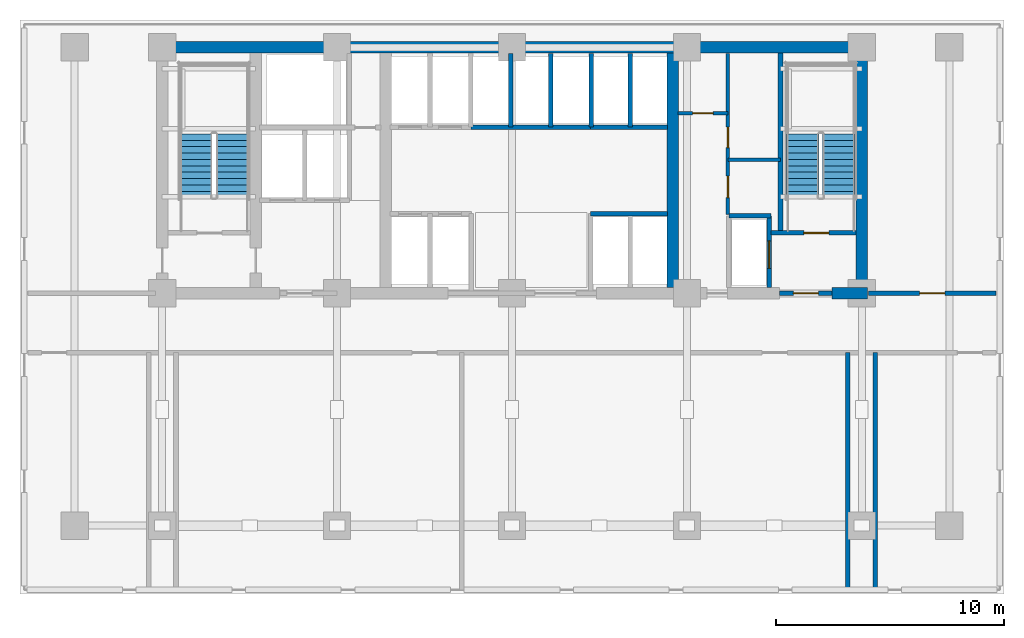
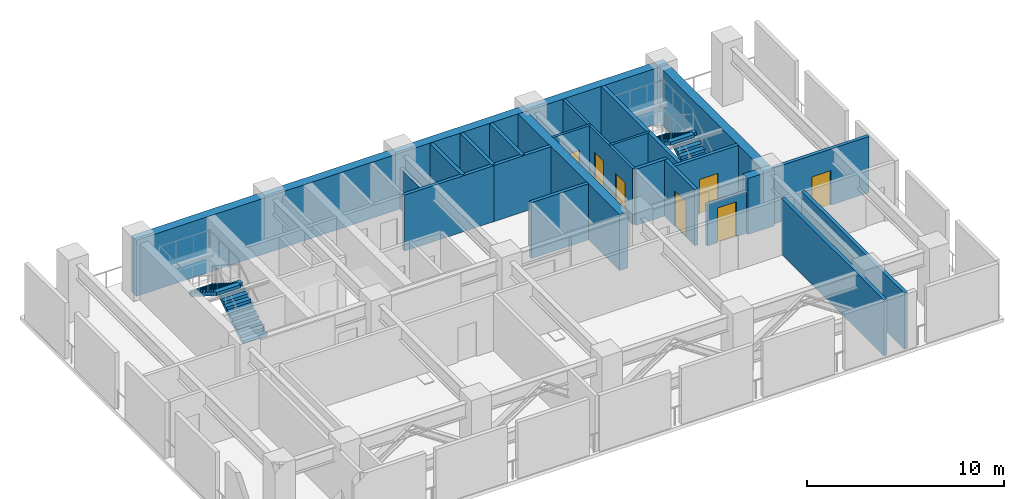
# One storey, part 3 of 7: 22 walls, 7 doors, 4 stair flights, 7 openings, 2 elements without a shape of their own.
"""IFC4 building model written with IfcOpenShell, lengths in metres."""

from ifc_helpers import new_model, si_unit, direction, frame, frame_2d, origin, place, context, subcontext, project, spatial, polyline, rectangle, outline, extrude, material, layer, layer_set, type_object, element, fill, aggregate, save


model = new_model("IFC4")

# Units and contexts
model_context = context("Model", 3, precision=1e-05, world=origin(), true_north=direction((0.0, 1.0)))
body_context = subcontext(model_context, "Body", "Model", "MODEL_VIEW")
ifc_project = project(units=[si_unit("LENGTHUNIT", "METRE"), si_unit("AREAUNIT", "SQUARE_METRE"), si_unit("VOLUMEUNIT", "CUBIC_METRE"), si_unit("PLANEANGLEUNIT", "RADIAN"), si_unit("MASSUNIT", "GRAM", prefix="KILO")], contexts=[model_context])

# Site, building, storey
site_placement = place(None, origin())
site = spatial("IfcSite", under=ifc_project, at=site_placement, CompositionType="ELEMENT")
building_placement = place(site_placement, origin())
building = spatial("IfcBuilding", under=site, at=building_placement, Name="Yelkora Congress Tower", CompositionType="ELEMENT")
storey_placement = place(building_placement, frame((0.0, 0.0, 81.89990234375)))
storey = spatial("IfcBuildingStorey", under=building, at=storey_placement, Name="L21", CompositionType="ELEMENT", Elevation=81.89990234375)

# Walls
ifc_material_1 = material(Name="Concrete C50/60", Category="concrete")
ifc_layer_1 = layer(ifc_material_1, 0.219970703125)
ifc_layer_set_1 = layer_set([ifc_layer_1], Name="Concrete C50/60")
wall_type_1 = type_object("IfcWallType", Name="WALL-CORE-INT-220", PredefinedType="SHEAR", material=ifc_layer_set_1)
wall_1_placement = place(storey_placement, frame((50.179931640625, 38.050048828125, 0.0), z_axis=(0.0, 0.0, 1.0), x_axis=(0.0, 1.0, 0.0)))
element("IfcWall", 1, at=wall_1_placement, inside=storey, type_object=wall_type_1, Name="L21 ST02 West Stair Shear Wall", PredefinedType="SHEAR", context=body_context, shape_type="SweptSolid", body=[
    extrude(rectangle(XDim=7.89990234375, YDim=0.219970703125, at=frame_2d((3.949951171875, 0.0))), origin(), (0.0, 0.0, 1.0), 3.47998046875),
])
ifc_material_2 = material(Name="Concrete C60/75", Category="concrete")
ifc_layer_2 = layer(ifc_material_2, 0.5)
ifc_layer_set_2 = layer_set([ifc_layer_2], Name="Concrete C60/75")
wall_type_2 = type_object("IfcWallType", Name="WALL-CORE-INT-500", PredefinedType="SHEAR", material=ifc_layer_set_2)
wall_2_placement = place(storey_placement, frame((22.7900390625, 46.199951171875, 0.0), z_axis=(0.0, 0.0, 1.0), x_axis=(1.0, 0.0, 0.0)))
element("IfcWall", 2, at=wall_2_placement, inside=storey, type_object=wall_type_2, Name="L21 Rear Core North Shear Wall", PredefinedType="SHEAR", context=body_context, shape_type="SweptSolid", body=[
    extrude(rectangle(XDim=31.219970703125, YDim=0.5, at=frame_2d((15.60986328125, 0.0))), origin(), (0.0, 0.0, 1.0), 3.47998046875),
])
wall_3_placement = place(storey_placement, frame((52.449951171875, 35.39990234375, 0.0), z_axis=(0.0, 0.0, 1.0), x_axis=(1.0, 0.0, 0.0)))
element("IfcWall", 3, at=wall_3_placement, inside=storey, type_object=wall_type_2, Name="L21 Rear Core South-East Shear Wall B", PredefinedType="SHEAR", context=body_context, shape_type="SweptSolid", body=[
    extrude(rectangle(XDim=1.56005859375, YDim=0.5, at=frame_2d((0.780029296875, 0.0))), origin(), (0.0, 0.0, 1.0), 3.47998046875),
])
for number, where, z_axis, x_axis, name in (
    (4, (45.449951171875, 35.64990234375, 0.0), (0.0, 0.0, 1.0), (0.0, 1.0, 0.0), "L21 Rear Core Cross Shear Wall C3"),
    (5, (53.760009765625, 35.64990234375, 0.0), (0.0, 0.0, 1.0), (0.0, 1.0, 0.0), "L21 Rear Core Cross Shear Wall E"),
):
    element("IfcWall", number, at=place(storey_placement, frame(where, z_axis=z_axis, x_axis=x_axis)), inside=storey, type_object=wall_type_2, Name=name, PredefinedType="SHEAR", context=body_context, shape_type="SweptSolid", body=[
        extrude(rectangle(XDim=10.300048828125, YDim=0.5, at=frame_2d((5.14990234375, 0.0))), origin(), (0.0, 0.0, 1.0), 3.47998046875),
    ])

# Wall, opening, door
ifc_material_3 = material(Name="Acoustic metal-stud gypsum partition", Category="gypsum")
ifc_layer_3 = layer(ifc_material_3, 0.14990234375)
ifc_layer_set_3 = layer_set([ifc_layer_3], Name="Acoustic metal-stud gypsum partition")
wall_type_3 = type_object("IfcWallType", Name="WALL-INT-150-NR", PredefinedType="PARTITIONING", material=ifc_layer_set_3)
wall_4_placement = place(storey_placement, frame((45.679931640625, 43.31005859375, 0.0), z_axis=(0.0, 0.0, 1.0), x_axis=(1.0, 0.0, 0.0)))
wall_4 = element("IfcWall", 6, at=wall_4_placement, inside=storey, type_object=wall_type_3, Name="L21 Partition Wall 28", PredefinedType="PARTITIONING", context=body_context, shape_type="SweptSolid", body=[
    extrude(rectangle(XDim=2.199951171875, YDim=0.14990234375, at=frame_2d((1.10009765625, 0.0))), origin(), (0.0, 0.0, 1.0), 3.47998046875),
])
opening_1_placement = place(wall_4_placement, frame((0.64990234375, 0.0, 0.0)))
opening_1 = element("IfcOpeningElement", 7, at=opening_1_placement, cuts=wall_4, Name="Opening DR-090N", PredefinedType="OPENING", context=body_context, shape_type="SweptSolid", body=[
    extrude(rectangle(XDim=0.89990234375, YDim=2.14990234375, at=frame_2d((0.449951171875, 1.074951171875))), frame((0.0, 0.0849609375, 0.0), z_axis=(0.0, -1.0, 0.0), x_axis=(1.0, 0.0, 0.0)), (0.0, 0.0, 1.0), 0.169921875),
])
ifc_material_4 = material(Name="Moisture-resistant laminate door leaf", Category="wood")
door_type_1 = type_object("IfcDoorType", Name="DOOR-INT-900", OperationType="NOTDEFINED", PredefinedType="DOOR", material=ifc_material_4)
door_1_placement = place(opening_1_placement, origin())
door_1 = element("IfcDoor", 8, at=door_1_placement, inside=storey, type_object=door_type_1, Name="L21 Male WC Door", OperationType="SINGLE_SWING_RIGHT", OverallHeight=2.14990234375, OverallWidth=0.89990234375, PredefinedType="DOOR", context=body_context, shape_type="SweptSolid", body=[
    extrude(rectangle(XDim=0.89990234375, YDim=2.14990234375, at=frame_2d((0.449951171875, 1.074951171875))), frame((0.0, 0.02490234375, 0.0), z_axis=(0.0, -1.0, 0.0), x_axis=(1.0, 0.0, 0.0)), (0.0, 0.0, 1.0), 0.050048828125),
])
fill(opening_1, door_1)

# Wall
wall_5_placement = place(storey_placement, frame((47.8798828125, 41.260009765625, 0.0), z_axis=(0.0, 0.0, 1.0), x_axis=(1.0, 0.0, 0.0)))
element("IfcWall", 9, at=wall_5_placement, inside=storey, type_object=wall_type_3, Name="L21 Partition Wall 29", PredefinedType="PARTITIONING", context=body_context, shape_type="SweptSolid", body=[
    extrude(rectangle(XDim=2.300048828125, YDim=0.14990234375, at=frame_2d((1.14990234375, 0.0))), origin(), (0.0, 0.0, 1.0), 3.47998046875),
])

# Wall, openings, doors
wall_6_placement = place(storey_placement, frame((47.8798828125, 38.85009765625, 0.0), z_axis=(0.0, 0.0, 1.0), x_axis=(0.0, 1.0, 0.0)))
wall_6 = element("IfcWall", 10, at=wall_6_placement, inside=storey, type_object=wall_type_3, Name="L21 Partition Wall 30", PredefinedType="PARTITIONING", context=body_context, shape_type="SweptSolid", body=[
    extrude(rectangle(XDim=7.06982421875, YDim=0.14990234375, at=frame_2d((3.534912109375, 0.0))), origin(), (0.0, 0.0, 1.0), 3.47998046875),
])
opening_2_placement = place(wall_6_placement, frame((0.75, 0.0, 0.0)))
opening_2 = element("IfcOpeningElement", 11, at=opening_2_placement, cuts=wall_6, Name="Opening DR-095N", PredefinedType="OPENING", context=body_context, shape_type="SweptSolid", body=[
    extrude(rectangle(XDim=0.949951171875, YDim=2.14990234375, at=frame_2d((0.47509765625, 1.074951171875))), frame((0.0, 0.0849609375, 0.0), z_axis=(0.0, -1.0, 0.0), x_axis=(1.0, 0.0, 0.0)), (0.0, 0.0, 1.0), 0.169921875),
])
opening_3_placement = place(wall_6_placement, frame((2.949951171875, 0.0, 0.0)))
opening_3 = element("IfcOpeningElement", 12, at=opening_3_placement, cuts=wall_6, Name="Opening DR-090N", PredefinedType="OPENING", context=body_context, shape_type="SweptSolid", body=[
    extrude(rectangle(XDim=0.89990234375, YDim=2.14990234375, at=frame_2d((0.449951171875, 1.074951171875))), frame((0.0, 0.0849609375, 0.0), z_axis=(0.0, -1.0, 0.0), x_axis=(1.0, 0.0, 0.0)), (0.0, 0.0, 1.0), 0.169921875),
])
door_2_placement = place(opening_3_placement, origin())
door_2 = element("IfcDoor", 13, at=door_2_placement, inside=storey, type_object=door_type_1, Name="L21 Female WC Door", OperationType="SINGLE_SWING_RIGHT", OverallHeight=2.14990234375, OverallWidth=0.89990234375, PredefinedType="DOOR", context=body_context, shape_type="SweptSolid", body=[
    extrude(rectangle(XDim=0.89990234375, YDim=2.14990234375, at=frame_2d((0.449951171875, 1.074951171875))), frame((0.0, 0.02490234375, 0.0), z_axis=(0.0, -1.0, 0.0), x_axis=(1.0, 0.0, 0.0)), (0.0, 0.0, 1.0), 0.050048828125),
])
fill(opening_3, door_2)
ifc_material_5 = material(Name="Acoustic laminated timber office door", Category="wood")
door_type_2 = type_object("IfcDoorType", Name="DOOR-INT-950", OperationType="NOTDEFINED", PredefinedType="DOOR", material=ifc_material_5)
door_3_placement = place(opening_2_placement, origin())
door_3 = element("IfcDoor", 14, at=door_3_placement, inside=storey, type_object=door_type_2, Name="L21 Accessible WC Door", OperationType="SINGLE_SWING_LEFT", OverallHeight=2.14990234375, OverallWidth=0.949951171875, PredefinedType="DOOR", context=body_context, shape_type="SweptSolid", body=[
    extrude(rectangle(XDim=0.949951171875, YDim=2.14990234375, at=frame_2d((0.47509765625, 1.074951171875))), frame((0.0, 0.02490234375, 0.0), z_axis=(0.0, -1.0, 0.0), x_axis=(1.0, 0.0, 0.0)), (0.0, 0.0, 1.0), 0.050048828125),
])
fill(opening_2, door_3)

# Walls
ifc_material_6 = material(Name="Autoclaved aerated concrete blockwork", Category="masonry")
ifc_layer_4 = layer(ifc_material_6, 0.199951171875)
ifc_layer_set_4 = layer_set([ifc_layer_4], Name="Autoclaved aerated concrete blockwork")
wall_type_4 = type_object("IfcWallType", Name="WALL-INT-200-R120", PredefinedType="PARTITIONING", material=ifc_layer_set_4)
wall_7_placement = place(storey_placement, frame((36.60009765625, 42.699951171875, 0.0), z_axis=(0.0, 0.0, 1.0), x_axis=(1.0, 0.0, 0.0)))
element("IfcWall", 15, at=wall_7_placement, inside=storey, type_object=wall_type_4, Name="L21 Partition Wall 8", PredefinedType="PARTITIONING", context=body_context, shape_type="SweptSolid", body=[
    extrude(rectangle(XDim=5.25, YDim=0.199951171875, at=frame_2d((2.625, 0.0))), origin(), (0.0, 0.0, 1.0), 3.47998046875),
])
wall_8_placement = place(storey_placement, frame((38.35009765625, 42.699951171875, 0.0), z_axis=(0.0, 0.0, 1.0), x_axis=(0.0, 1.0, 0.0)))
element("IfcWall", 16, at=wall_8_placement, inside=storey, type_object=wall_type_4, Name="L21 Partition Wall 9", PredefinedType="PARTITIONING", context=body_context, shape_type="SweptSolid", body=[
    extrude(rectangle(XDim=3.219970703125, YDim=0.199951171875, at=frame_2d((1.60986328125, 0.0))), origin(), (0.0, 0.0, 1.0), 2.565185546875),
])
wall_9_placement = place(storey_placement, frame((40.10009765625, 42.699951171875, 0.0), z_axis=(0.0, 0.0, 1.0), x_axis=(0.0, 1.0, 0.0)))
element("IfcWall", 17, at=wall_9_placement, inside=storey, type_object=wall_type_4, Name="L21 Partition Wall 10", PredefinedType="PARTITIONING", context=body_context, shape_type="SweptSolid", body=[
    extrude(rectangle(XDim=3.219970703125, YDim=0.199951171875, at=frame_2d((1.60986328125, 0.0))), origin(), (0.0, 0.0, 1.0), 3.47998046875),
])
for number, where, z_axis, x_axis, name in (
    (18, (41.85009765625, 38.89990234375, 0.0), (0.0, 0.0, 1.0), (1.0, 0.0, 0.0), "L21 Partition Wall 17"),
    (19, (41.85009765625, 42.699951171875, 0.0), (0.0, 0.0, 1.0), (1.0, 0.0, 0.0), "L21 Partition Wall 18"),
):
    element("IfcWall", number, at=place(storey_placement, frame(where, z_axis=z_axis, x_axis=x_axis)), inside=storey, type_object=wall_type_4, Name=name, PredefinedType="PARTITIONING", context=body_context, shape_type="SweptSolid", body=[
        extrude(rectangle(XDim=3.369873046875, YDim=0.199951171875, at=frame_2d((1.68505859375, 0.0))), origin(), (0.0, 0.0, 1.0), 3.47998046875),
    ])
for number, where, z_axis, x_axis, name in (
    (20, (43.60009765625, 42.699951171875, 0.0), (0.0, 0.0, 1.0), (0.0, 1.0, 0.0), "L21 Partition Wall 20"),
    (21, (41.8798828125, 42.699951171875, 0.0), (0.0, 0.0, 1.0), (0.0, 1.0, 0.0), "L21 Partition Wall 22"),
):
    element("IfcWall", number, at=place(storey_placement, frame(where, z_axis=z_axis, x_axis=x_axis)), inside=storey, type_object=wall_type_4, Name=name, PredefinedType="PARTITIONING", context=body_context, shape_type="SweptSolid", body=[
        extrude(rectangle(XDim=3.219970703125, YDim=0.199951171875, at=frame_2d((1.60986328125, 0.0))), origin(), (0.0, 0.0, 1.0), 3.47998046875),
    ])

# Wall, opening, door
wall_10_placement = place(storey_placement, frame((49.780029296875, 38.050048828125, 0.0), z_axis=(0.0, 0.0, 1.0), x_axis=(1.0, 0.0, 0.0)))
wall_10 = element("IfcWall", 22, at=wall_10_placement, inside=storey, type_object=wall_type_4, Name="L21 Stair ST-02 Enclosure Wall", PredefinedType="PARTITIONING", context=body_context, shape_type="SweptSolid", body=[
    extrude(rectangle(XDim=3.719970703125, YDim=0.199951171875, at=frame_2d((1.85986328125, 0.0))), origin(), (0.0, 0.0, 1.0), 3.47998046875),
])
opening_4_placement = place(wall_10_placement, frame((1.436279296875, 0.0, 0.0)))
opening_4 = element("IfcOpeningElement", 23, at=opening_4_placement, cuts=wall_10, Name="Opening DR-110F9", PredefinedType="OPENING", context=body_context, shape_type="SweptSolid", body=[
    extrude(rectangle(XDim=1.10009765625, YDim=2.14990234375, at=frame_2d((0.550048828125, 1.074951171875))), frame((0.0, 0.10986328125, 0.0), z_axis=(0.0, -1.0, 0.0), x_axis=(1.0, 0.0, 0.0)), (0.0, 0.0, 1.0), 0.219970703125),
])
ifc_material_7 = material(Name="Galvanised steel fire door leaf", Category="steel")
door_type_3 = type_object("IfcDoorType", Name="DOOR-FD90-1100", OperationType="NOTDEFINED", PredefinedType="DOOR", material=ifc_material_7)
door_4_placement = place(opening_4_placement, origin())
door_4 = element("IfcDoor", 24, at=door_4_placement, inside=storey, type_object=door_type_3, Name="L21 Stair ST-02 Entry Door", OperationType="SINGLE_SWING_LEFT", OverallHeight=2.14990234375, OverallWidth=1.10009765625, PredefinedType="DOOR", context=body_context, shape_type="SweptSolid", body=[
    extrude(rectangle(XDim=1.10009765625, YDim=2.14990234375, at=frame_2d((0.550048828125, 1.074951171875))), frame((0.0, 0.02490234375, 0.0), z_axis=(0.0, -1.0, 0.0), x_axis=(1.0, 0.0, 0.0)), (0.0, 0.0, 1.0), 0.050048828125),
])
fill(opening_4, door_4)

wall_11_placement = place(storey_placement, frame((50.14990234375, 35.39990234375, 0.0), z_axis=(0.0, 0.0, 1.0), x_axis=(1.0, 0.0, 0.0)))
wall_11 = element("IfcWall", 25, at=wall_11_placement, inside=storey, type_object=wall_type_4, Name="L21 Partition Wall 24", PredefinedType="PARTITIONING", context=body_context, shape_type="SweptSolid", body=[
    extrude(rectangle(XDim=2.300048828125, YDim=0.199951171875, at=frame_2d((1.14990234375, 0.0))), origin(), (0.0, 0.0, 1.0), 2.565185546875),
])
opening_5_placement = place(wall_11_placement, frame((0.60009765625, 0.0, 0.0)))
opening_5 = element("IfcOpeningElement", 26, at=opening_5_placement, cuts=wall_11, Name="Opening DR-110F9", PredefinedType="OPENING", context=body_context, shape_type="SweptSolid", body=[
    extrude(rectangle(XDim=1.10009765625, YDim=2.14990234375, at=frame_2d((0.550048828125, 1.074951171875))), frame((0.0, 0.10986328125, 0.0), z_axis=(0.0, -1.0, 0.0), x_axis=(1.0, 0.0, 0.0)), (0.0, 0.0, 1.0), 0.219970703125),
])
door_5_placement = place(opening_5_placement, origin())
door_5 = element("IfcDoor", 27, at=door_5_placement, inside=storey, type_object=door_type_3, Name="L21 East Stair Lobby Door", OperationType="SINGLE_SWING_RIGHT", OverallHeight=2.14990234375, OverallWidth=1.10009765625, PredefinedType="DOOR", context=body_context, shape_type="SweptSolid", body=[
    extrude(rectangle(XDim=1.10009765625, YDim=2.14990234375, at=frame_2d((0.550048828125, 1.074951171875))), frame((0.0, 0.02490234375, 0.0), z_axis=(0.0, -1.0, 0.0), x_axis=(1.0, 0.0, 0.0)), (0.0, 0.0, 1.0), 0.050048828125),
])
fill(opening_5, door_5)

wall_12_placement = place(storey_placement, frame((49.699951171875, 35.64990234375, 0.0), z_axis=(0.0, 0.0, 1.0), x_axis=(0.0, 1.0, 0.0)))
wall_12 = element("IfcWall", 28, at=wall_12_placement, inside=storey, type_object=wall_type_4, Name="L21 Partition Wall 25", PredefinedType="PARTITIONING", context=body_context, shape_type="SweptSolid", body=[
    extrude(rectangle(XDim=3.150146484375, YDim=0.199951171875, at=frame_2d((1.5751953125, 0.0))), origin(), (0.0, 0.0, 1.0), 3.47998046875),
])
opening_6_placement = place(wall_12_placement, frame((0.85009765625, 0.0, 0.0)))
opening_6 = element("IfcOpeningElement", 29, at=opening_6_placement, cuts=wall_12, Name="Opening LD-SV12", PredefinedType="OPENING", context=body_context, shape_type="SweptSolid", body=[
    extrude(rectangle(XDim=1.199951171875, YDim=2.199951171875, at=frame_2d((0.60009765625, 1.10009765625))), frame((0.0, 0.10986328125, 0.0), z_axis=(0.0, -1.0, 0.0), x_axis=(1.0, 0.0, 0.0)), (0.0, 0.0, 1.0), 0.219970703125),
])
ifc_material_8 = material(Name="Heavy-duty stainless steel landing door", Category="steel")
door_type_4 = type_object("IfcDoorType", Name="DOOR-LIFT-SRV-1200", OperationType="DOUBLE_DOOR_SLIDING", PredefinedType="DOOR", material=ifc_material_8)
door_6_placement = place(opening_6_placement, origin())
door_6 = element("IfcDoor", 30, at=door_6_placement, inside=storey, type_object=door_type_4, Name="Service Lift Landing Door LF-SV1 L21", OperationType="DOUBLE_DOOR_SLIDING", OverallHeight=2.199951171875, OverallWidth=1.199951171875, PredefinedType="DOOR", context=body_context, shape_type="SweptSolid", body=[
    extrude(rectangle(XDim=1.199951171875, YDim=2.199951171875, at=frame_2d((0.60009765625, 1.10009765625))), frame((0.0, 0.02490234375, 0.0), z_axis=(0.0, -1.0, 0.0), x_axis=(1.0, 0.0, 0.0)), (0.0, 0.0, 1.0), 0.050048828125),
])
fill(opening_6, door_6)

# Wall
wall_13_placement = place(storey_placement, frame((47.919921875, 38.800048828125, 0.0), z_axis=(0.0, 0.0, 1.0), x_axis=(1.0, 0.0, 0.0)))
element("IfcWall", 31, at=wall_13_placement, inside=storey, type_object=wall_type_4, Name="L21 Partition Wall 27", PredefinedType="PARTITIONING", context=body_context, shape_type="SweptSolid", body=[
    extrude(rectangle(XDim=1.860107421875, YDim=0.199951171875, at=frame_2d((0.93017578125, 0.0))), origin(), (0.0, 0.0, 1.0), 3.47998046875),
])

# Wall, opening, door
wall_14_placement = place(storey_placement, frame((54.050048828125, 35.39990234375, 0.0), z_axis=(0.0, 0.0, 1.0), x_axis=(1.0, 0.0, 0.0)))
wall_14 = element("IfcWall", 32, at=wall_14_placement, inside=storey, type_object=wall_type_4, Name="L21 Partition Wall 32", PredefinedType="PARTITIONING", context=body_context, shape_type="SweptSolid", body=[
    extrude(rectangle(XDim=5.599853515625, YDim=0.199951171875, at=frame_2d((2.7998046875, 0.0))), origin(), (0.0, 0.0, 1.0), 3.47998046875),
])
opening_7_placement = place(wall_14_placement, frame((2.25, 0.0, 0.0)))
opening_7 = element("IfcOpeningElement", 33, at=opening_7_placement, cuts=wall_14, Name="Opening DR-110F9", PredefinedType="OPENING", context=body_context, shape_type="SweptSolid", body=[
    extrude(rectangle(XDim=1.10009765625, YDim=2.14990234375, at=frame_2d((0.550048828125, 1.074951171875))), frame((0.0, 0.10986328125, 0.0), z_axis=(0.0, -1.0, 0.0), x_axis=(1.0, 0.0, 0.0)), (0.0, 0.0, 1.0), 0.219970703125),
])
door_7_placement = place(opening_7_placement, origin())
door_7 = element("IfcDoor", 34, at=door_7_placement, inside=storey, type_object=door_type_3, Name="L21 Interior Door 17", OperationType="SINGLE_SWING_LEFT", OverallHeight=2.14990234375, OverallWidth=1.10009765625, PredefinedType="DOOR", context=body_context, shape_type="SweptSolid", body=[
    extrude(rectangle(XDim=1.10009765625, YDim=2.14990234375, at=frame_2d((0.550048828125, 1.074951171875))), frame((0.0, 0.02490234375, 0.0), z_axis=(0.0, -1.0, 0.0), x_axis=(1.0, 0.0, 0.0)), (0.0, 0.0, 1.0), 0.050048828125),
])
fill(opening_7, door_7)

# Walls
for number, where, z_axis, x_axis, name in (
    (35, (53.14990234375, 22.3798828125, 0.0), (0.0, 0.0, 1.0), (0.0, 1.0, 0.0), "L21 Partition Wall 36"),
    (36, (54.35009765625, 22.3798828125, 0.0), (0.0, 0.0, 1.0), (0.0, 1.0, 0.0), "L21 Partition Wall 37"),
):
    element("IfcWall", number, at=place(storey_placement, frame(where, z_axis=z_axis, x_axis=x_axis)), inside=storey, type_object=wall_type_4, Name=name, PredefinedType="PARTITIONING", context=body_context, shape_type="SweptSolid", body=[
        extrude(rectangle(XDim=10.420166015625, YDim=0.199951171875, at=frame_2d((5.2099609375, 0.0))), origin(), (0.0, 0.0, 1.0), 3.47998046875),
    ])

# Stair, stair flights
ifc_material_9 = material(Name="Concrete C40/50", Category="concrete")
stair_type = type_object("IfcStairType", Name="STAIR-HT-1420-R22-177", PredefinedType="HALF_TURN_STAIR", material=ifc_material_9)
stair_1_placement = place(storey_placement, origin())
stair_1 = element("IfcStair", 37, at=stair_1_placement, inside=storey, type_object=stair_type, Name="West Core Protected Exit Stair ST-01 (L21)", PredefinedType="HALF_TURN_STAIR")
stair_flight_type = type_object("IfcStairFlightType", Name="FLIGHT-1420-N11-R177-G280", PredefinedType="STRAIGHT", material=ifc_material_9)
stair_flight_1_placement = place(storey_placement, frame((26.110107421875, 39.60009765625, 0.0), z_axis=(0.0, 0.0, 1.0), x_axis=(0.0, 1.0, 0.0)))
stair_flight_1 = element("IfcStairFlight", 38, at=stair_flight_1_placement, type_object=stair_flight_type, Name="ST-01 L21 Flight 1", NumberOfRisers=11, NumberOfTreads=10, PredefinedType="STRAIGHT", RiserHeight=0.177272727, TreadLength=0.28, context=body_context, shape_type="SweptSolid", body=[
    extrude(outline(polyline([(0.0, 0.0), (0.0, 0.17724609375), (0.280029296875, 0.17724609375), (0.280029296875, 0.3544921875), (0.56005859375, 0.3544921875), (0.56005859375, 0.53173828125), (0.840087890625, 0.53173828125), (0.840087890625, 0.708984375), (1.1201171875, 0.708984375), (1.1201171875, 0.886474609375), (1.39990234375, 0.886474609375), (1.39990234375, 1.063720703125), (1.679931640625, 1.063720703125), (1.679931640625, 1.240966796875), (1.9599609375, 1.240966796875), (1.9599609375, 1.418212890625), (2.239990234375, 1.418212890625), (2.239990234375, 1.595458984375), (2.52001953125, 1.595458984375), (2.52001953125, 1.772705078125), (2.800048828125, 1.772705078125), (2.800048828125, 1.949951171875), (2.800048828125, 1.58349609375), (0.298828125, 0.0), (0.0, 0.0)])), frame((0.0, 0.7099609375, 0.0), z_axis=(0.0, -1.0, 0.0), x_axis=(1.0, 0.0, 0.0)), (0.0, 0.0, 1.0), 1.419921875),
])
stair_flight_2_placement = place(storey_placement, frame((24.530029296875, 42.39990234375, 1.9501953125), z_axis=(0.0, 0.0, 1.0), x_axis=(0.0, -1.0, 0.0)))
stair_flight_2 = element("IfcStairFlight", 39, at=stair_flight_2_placement, type_object=stair_flight_type, Name="ST-01 L21 Flight 2", NumberOfRisers=11, NumberOfTreads=10, PredefinedType="STRAIGHT", RiserHeight=0.177272727, TreadLength=0.28, context=body_context, shape_type="SweptSolid", body=[
    extrude(outline(polyline([(0.0, 0.0), (0.0, 0.17724609375), (0.280029296875, 0.17724609375), (0.280029296875, 0.3544921875), (0.56005859375, 0.3544921875), (0.56005859375, 0.53173828125), (0.840087890625, 0.53173828125), (0.840087890625, 0.708984375), (1.1201171875, 0.708984375), (1.1201171875, 0.886474609375), (1.39990234375, 0.886474609375), (1.39990234375, 1.063720703125), (1.679931640625, 1.063720703125), (1.679931640625, 1.240966796875), (1.9599609375, 1.240966796875), (1.9599609375, 1.418212890625), (2.239990234375, 1.418212890625), (2.239990234375, 1.595458984375), (2.52001953125, 1.595458984375), (2.52001953125, 1.772705078125), (2.800048828125, 1.772705078125), (2.800048828125, 1.949951171875), (2.800048828125, 1.58349609375), (0.298828125, 0.0), (0.0, 0.0)])), frame((0.0, 0.7099609375, 0.0), z_axis=(0.0, -1.0, 0.0), x_axis=(1.0, 0.0, 0.0)), (0.0, 0.0, 1.0), 1.419921875),
])
aggregate(stair_1, [stair_flight_1, stair_flight_2])

stair_2_placement = place(storey_placement, origin())
stair_2 = element("IfcStair", 40, at=stair_2_placement, inside=storey, type_object=stair_type, Name="East Core Protected Exit Stair ST-02 (L21)", PredefinedType="HALF_TURN_STAIR")
stair_flight_3_placement = place(storey_placement, frame((52.75, 39.60009765625, 0.0), z_axis=(0.0, 0.0, 1.0), x_axis=(0.0, 1.0, 0.0)))
stair_flight_3 = element("IfcStairFlight", 41, at=stair_flight_3_placement, type_object=stair_flight_type, Name="ST-02 L21 Flight 1", NumberOfRisers=11, NumberOfTreads=10, PredefinedType="STRAIGHT", RiserHeight=0.177272727, TreadLength=0.28, context=body_context, shape_type="SweptSolid", body=[
    extrude(outline(polyline([(0.0, 0.0), (0.0, 0.17724609375), (0.280029296875, 0.17724609375), (0.280029296875, 0.3544921875), (0.56005859375, 0.3544921875), (0.56005859375, 0.53173828125), (0.840087890625, 0.53173828125), (0.840087890625, 0.708984375), (1.1201171875, 0.708984375), (1.1201171875, 0.886474609375), (1.39990234375, 0.886474609375), (1.39990234375, 1.063720703125), (1.679931640625, 1.063720703125), (1.679931640625, 1.240966796875), (1.9599609375, 1.240966796875), (1.9599609375, 1.418212890625), (2.239990234375, 1.418212890625), (2.239990234375, 1.595458984375), (2.52001953125, 1.595458984375), (2.52001953125, 1.772705078125), (2.800048828125, 1.772705078125), (2.800048828125, 1.949951171875), (2.800048828125, 1.58349609375), (0.298828125, 0.0), (0.0, 0.0)])), frame((0.0, 0.7099609375, 0.0), z_axis=(0.0, -1.0, 0.0), x_axis=(1.0, 0.0, 0.0)), (0.0, 0.0, 1.0), 1.419921875),
])
stair_flight_4_placement = place(storey_placement, frame((51.169921875, 42.39990234375, 1.9501953125), z_axis=(0.0, 0.0, 1.0), x_axis=(0.0, -1.0, 0.0)))
stair_flight_4 = element("IfcStairFlight", 42, at=stair_flight_4_placement, type_object=stair_flight_type, Name="ST-02 L21 Flight 2", NumberOfRisers=11, NumberOfTreads=10, PredefinedType="STRAIGHT", RiserHeight=0.177272727, TreadLength=0.28, context=body_context, shape_type="SweptSolid", body=[
    extrude(outline(polyline([(0.0, 0.0), (0.0, 0.17724609375), (0.280029296875, 0.17724609375), (0.280029296875, 0.3544921875), (0.56005859375, 0.3544921875), (0.56005859375, 0.53173828125), (0.840087890625, 0.53173828125), (0.840087890625, 0.708984375), (1.1201171875, 0.708984375), (1.1201171875, 0.886474609375), (1.39990234375, 0.886474609375), (1.39990234375, 1.063720703125), (1.679931640625, 1.063720703125), (1.679931640625, 1.240966796875), (1.9599609375, 1.240966796875), (1.9599609375, 1.418212890625), (2.239990234375, 1.418212890625), (2.239990234375, 1.595458984375), (2.52001953125, 1.595458984375), (2.52001953125, 1.772705078125), (2.800048828125, 1.772705078125), (2.800048828125, 1.949951171875), (2.800048828125, 1.58349609375), (0.298828125, 0.0), (0.0, 0.0)])), frame((0.0, 0.7099609375, 0.0), z_axis=(0.0, -1.0, 0.0), x_axis=(1.0, 0.0, 0.0)), (0.0, 0.0, 1.0), 1.419921875),
])
aggregate(stair_2, [stair_flight_3, stair_flight_4])

save(model, "model.ifc")
